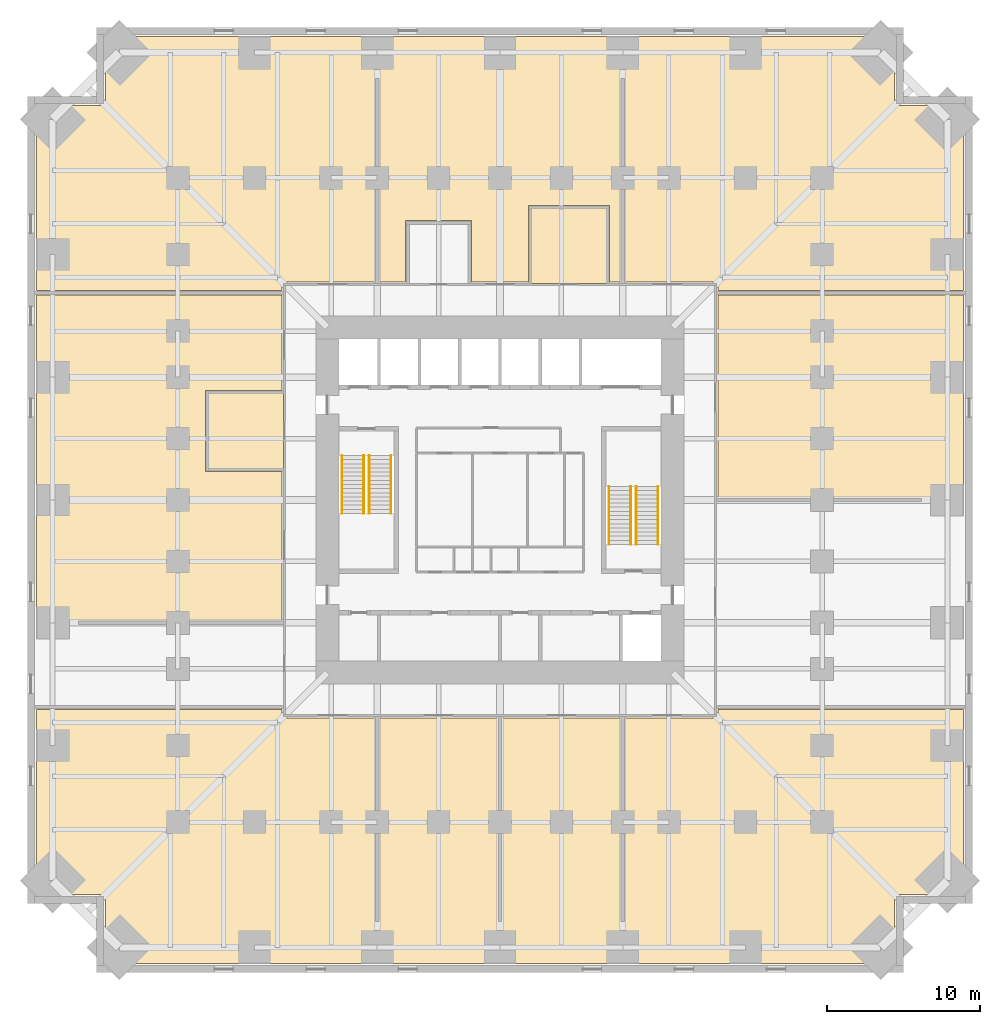
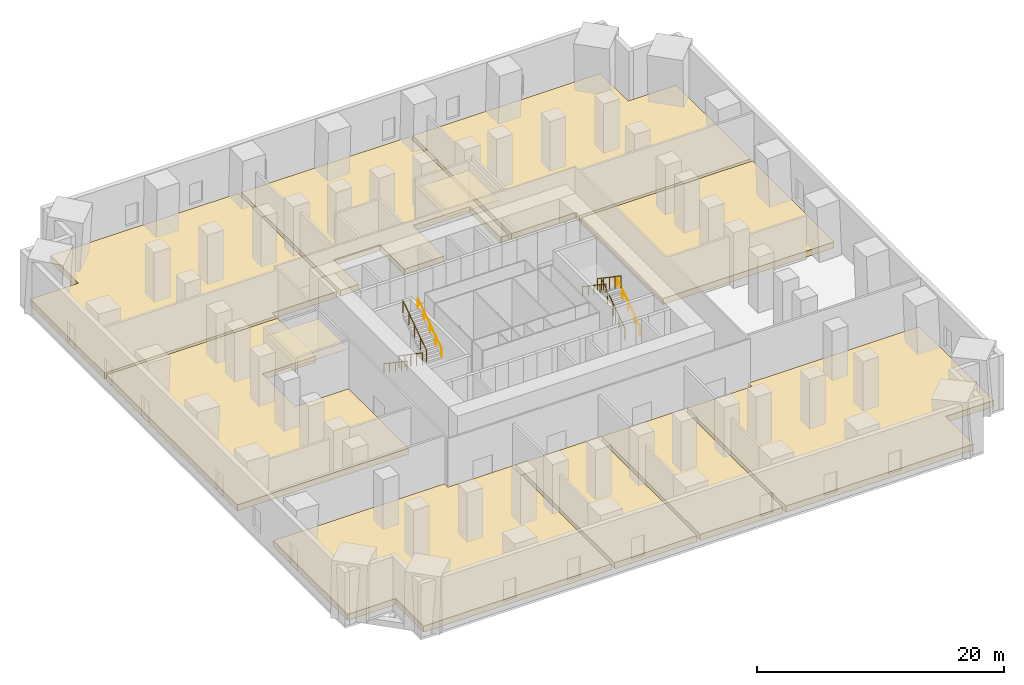
# One storey, part 8 of 8: 11 coverings, 8 railings.
"""IFC4 building model written with IfcOpenShell, lengths in metres."""

from ifc_helpers import new_model, si_unit, direction, frame, origin, origin_2d, place, context, subcontext, project, spatial, polyline, circle, outline, extrude, material, layer, layer_set, type_object, element, save


model = new_model("IFC4")

# Units and contexts
model_context = context("Model", 3, precision=1e-05, world=origin(), true_north=direction((0.0, 1.0)))
body_context = subcontext(model_context, "Body", "Model", "MODEL_VIEW")
ifc_project = project(units=[si_unit("LENGTHUNIT", "METRE"), si_unit("AREAUNIT", "SQUARE_METRE"), si_unit("VOLUMEUNIT", "CUBIC_METRE"), si_unit("PLANEANGLEUNIT", "RADIAN"), si_unit("MASSUNIT", "GRAM", prefix="KILO")], contexts=[model_context])

# Site, building, storey
site_placement = place(None, origin())
site = spatial("IfcSite", under=ifc_project, at=site_placement, CompositionType="ELEMENT")
building_placement = place(site_placement, origin())
building = spatial("IfcBuilding", under=site, at=building_placement, Name="Peilmerk Tower", CompositionType="ELEMENT")
storey_placement = place(building_placement, frame((0.0, 0.0, 43.0)))
storey = spatial("IfcBuildingStorey", under=building, at=storey_placement, Name="L08", CompositionType="ELEMENT", Elevation=43.0)

# Coverings
ifc_material_1 = material(Name="Mineral fibre ceiling tiles", Category="mineral")
ifc_layer_1 = layer(ifc_material_1, 0.02490234375)
ifc_layer_set_1 = layer_set([ifc_layer_1], Name="Mineral fibre ceiling tiles")
covering_type_1 = type_object("IfcCoveringType", Name="CL1 25 suspended ceiling", PredefinedType="CEILING", material=ifc_layer_set_1)
covering_1_placement = place(storey_placement, frame((0.0, 0.0, 4.375)))
element("IfcCovering", 1, at=covering_1_placement, inside=storey, type_object=covering_type_1, Name="Suspended ceiling Operations office", PredefinedType="CEILING", context=body_context, shape_type="SweptSolid", body=[
    extrude(outline(polyline([(6.949951171875, 14.10009765625), (6.949951171875, 19.0), (2.050048828125, 19.0), (2.050048828125, 14.10009765625), (6.949951171875, 14.10009765625)])), origin(), (0.0, 0.0, 1.0), 0.02490234375),
])
covering_2_placement = place(storey_placement, frame((0.0, 0.0, 4.375)))
element("IfcCovering", 2, at=covering_2_placement, inside=storey, type_object=covering_type_1, Name="Suspended ceiling Customer meeting room", PredefinedType="CEILING", context=body_context, shape_type="SweptSolid", body=[
    extrude(outline(polyline([(-14.10009765625, 2.050048828125), (-14.10009765625, 6.949951171875), (-19.0, 6.949951171875), (-19.0, 2.050048828125), (-14.10009765625, 2.050048828125)])), origin(), (0.0, 0.0, 1.0), 0.02490234375),
])

# Railings
ifc_material_2 = material(Name="Steel flat bar balustrade", Category="steel")
railing_type_1 = type_object("IfcRailingType", Name="GR1 1200 stair guard", PredefinedType="GUARDRAIL", material=ifc_material_2)
railing_1_placement = place(storey_placement, frame((-8.8798828125, 2.89990234375, 0.183349609375)))
element("IfcRailing", 3, at=railing_1_placement, inside=storey, type_object=railing_type_1, Name="Guard stair 1 L08", PredefinedType="GUARDRAIL", context=body_context, shape_type="SweptSolid", body=[
    extrude(circle(Radius=0.02392578125, at=origin_2d()), frame((0.0, 0.0, 1.17578125), z_axis=(0.0, -0.827293068839, 0.56177057439), x_axis=(1.0, 0.0, 0.0)), (0.0, 0.0, 1.0), 4.56884765625),
    extrude(circle(Radius=0.02099609375, at=origin_2d()), origin(), (0.0, 0.0, 1.0), 1.15185546875),
    extrude(circle(Radius=0.02099609375, at=origin_2d()), frame((0.0, -0.94482421875, 0.6416015625)), (0.0, 0.0, 1.0), 1.15185546875),
    extrude(circle(Radius=0.02099609375, at=origin_2d()), frame((0.0, -1.889892578125, 1.283203125)), (0.0, 0.0, 1.0), 1.15185546875),
    extrude(circle(Radius=0.02099609375, at=origin_2d()), frame((0.0, -2.8349609375, 1.925048828125)), (0.0, 0.0, 1.0), 1.15185546875),
    extrude(circle(Radius=0.02099609375, at=origin_2d()), frame((0.0, -3.77978515625, 2.566650390625)), (0.0, 0.0, 1.0), 1.15185546875),
])
for number, where, name in (
    (4, (-8.52001953125, -0.8798828125, 2.933349609375), "Guard stair 1 L08"),
    (5, (8.8798828125, -2.89990234375, 0.183349609375), "Guard stair 2 L08"),
):
    element("IfcRailing", number, at=place(storey_placement, frame(where)), inside=storey, type_object=railing_type_1, Name=name, PredefinedType="GUARDRAIL", context=body_context, shape_type="SweptSolid", body=[
        extrude(circle(Radius=0.02392578125, at=origin_2d()), frame((0.0, 0.0, 1.17578125), z_axis=(0.0, 0.827293068839, 0.56177057439), x_axis=(-1.0, 0.0, 0.0)), (0.0, 0.0, 1.0), 4.56884765625),
        extrude(circle(Radius=0.02099609375, at=origin_2d()), origin(), (0.0, 0.0, 1.0), 1.15185546875),
        extrude(circle(Radius=0.02099609375, at=origin_2d()), frame((0.0, 0.94482421875, 0.6416015625)), (0.0, 0.0, 1.0), 1.15185546875),
        extrude(circle(Radius=0.02099609375, at=origin_2d()), frame((0.0, 1.889892578125, 1.283203125)), (0.0, 0.0, 1.0), 1.15185546875),
        extrude(circle(Radius=0.02099609375, at=origin_2d()), frame((0.0, 2.8349609375, 1.925048828125)), (0.0, 0.0, 1.0), 1.15185546875),
        extrude(circle(Radius=0.02099609375, at=origin_2d()), frame((0.0, 3.77978515625, 2.566650390625)), (0.0, 0.0, 1.0), 1.15185546875),
    ])
railing_2_placement = place(storey_placement, frame((8.52001953125, 0.8798828125, 2.933349609375)))
element("IfcRailing", 6, at=railing_2_placement, inside=storey, type_object=railing_type_1, Name="Guard stair 2 L08", PredefinedType="GUARDRAIL", context=body_context, shape_type="SweptSolid", body=[
    extrude(circle(Radius=0.02392578125, at=origin_2d()), frame((0.0, 0.0, 1.17578125), z_axis=(0.0, -0.827293068839, 0.56177057439), x_axis=(1.0, 0.0, 0.0)), (0.0, 0.0, 1.0), 4.56884765625),
    extrude(circle(Radius=0.02099609375, at=origin_2d()), origin(), (0.0, 0.0, 1.0), 1.15185546875),
    extrude(circle(Radius=0.02099609375, at=origin_2d()), frame((0.0, -0.94482421875, 0.6416015625)), (0.0, 0.0, 1.0), 1.15185546875),
    extrude(circle(Radius=0.02099609375, at=origin_2d()), frame((0.0, -1.889892578125, 1.283203125)), (0.0, 0.0, 1.0), 1.15185546875),
    extrude(circle(Radius=0.02099609375, at=origin_2d()), frame((0.0, -2.8349609375, 1.925048828125)), (0.0, 0.0, 1.0), 1.15185546875),
    extrude(circle(Radius=0.02099609375, at=origin_2d()), frame((0.0, -3.77978515625, 2.566650390625)), (0.0, 0.0, 1.0), 1.15185546875),
])
ifc_material_3 = material(Name="Stainless steel tube", Category="steel")
railing_type_2 = type_object("IfcRailingType", Name="HR1 900 stair handrail", PredefinedType="HANDRAIL", material=ifc_material_3)
railing_3_placement = place(storey_placement, frame((-10.300048828125, 2.89990234375, 0.183349609375)))
element("IfcRailing", 7, at=railing_3_placement, inside=storey, type_object=railing_type_2, Name="Handrail stair 1 L08", PredefinedType="HANDRAIL", context=body_context, shape_type="SweptSolid", body=[
    extrude(circle(Radius=0.02392578125, at=origin_2d()), frame((0.0, 0.0, 0.8759765625), z_axis=(0.0, -0.827293068839, 0.56177057439), x_axis=(1.0, 0.0, 0.0)), (0.0, 0.0, 1.0), 4.56884765625),
    extrude(circle(Radius=0.02099609375, at=origin_2d()), origin(), (0.0, 0.0, 1.0), 0.851806640625),
    extrude(circle(Radius=0.02099609375, at=origin_2d()), frame((0.0, -0.94482421875, 0.6416015625)), (0.0, 0.0, 1.0), 0.851806640625),
    extrude(circle(Radius=0.02099609375, at=origin_2d()), frame((0.0, -1.889892578125, 1.283203125)), (0.0, 0.0, 1.0), 0.851806640625),
    extrude(circle(Radius=0.02099609375, at=origin_2d()), frame((0.0, -2.8349609375, 1.925048828125)), (0.0, 0.0, 1.0), 0.851806640625),
    extrude(circle(Radius=0.02099609375, at=origin_2d()), frame((0.0, -3.77978515625, 2.566650390625)), (0.0, 0.0, 1.0), 0.851806640625),
])
for number, where, name in (
    (8, (-7.10009765625, -0.8798828125, 2.933349609375), "Handrail stair 1 L08"),
    (9, (10.300048828125, -2.89990234375, 0.183349609375), "Handrail stair 2 L08"),
):
    element("IfcRailing", number, at=place(storey_placement, frame(where)), inside=storey, type_object=railing_type_2, Name=name, PredefinedType="HANDRAIL", context=body_context, shape_type="SweptSolid", body=[
        extrude(circle(Radius=0.02392578125, at=origin_2d()), frame((0.0, 0.0, 0.8759765625), z_axis=(0.0, 0.827293068839, 0.56177057439), x_axis=(-1.0, 0.0, 0.0)), (0.0, 0.0, 1.0), 4.56884765625),
        extrude(circle(Radius=0.02099609375, at=origin_2d()), origin(), (0.0, 0.0, 1.0), 0.851806640625),
        extrude(circle(Radius=0.02099609375, at=origin_2d()), frame((0.0, 0.94482421875, 0.6416015625)), (0.0, 0.0, 1.0), 0.851806640625),
        extrude(circle(Radius=0.02099609375, at=origin_2d()), frame((0.0, 1.889892578125, 1.283203125)), (0.0, 0.0, 1.0), 0.851806640625),
        extrude(circle(Radius=0.02099609375, at=origin_2d()), frame((0.0, 2.8349609375, 1.925048828125)), (0.0, 0.0, 1.0), 0.851806640625),
        extrude(circle(Radius=0.02099609375, at=origin_2d()), frame((0.0, 3.77978515625, 2.566650390625)), (0.0, 0.0, 1.0), 0.851806640625),
    ])
railing_4_placement = place(storey_placement, frame((7.10009765625, 0.8798828125, 2.933349609375)))
element("IfcRailing", 10, at=railing_4_placement, inside=storey, type_object=railing_type_2, Name="Handrail stair 2 L08", PredefinedType="HANDRAIL", context=body_context, shape_type="SweptSolid", body=[
    extrude(circle(Radius=0.02392578125, at=origin_2d()), frame((0.0, 0.0, 0.8759765625), z_axis=(0.0, -0.827293068839, 0.56177057439), x_axis=(1.0, 0.0, 0.0)), (0.0, 0.0, 1.0), 4.56884765625),
    extrude(circle(Radius=0.02099609375, at=origin_2d()), origin(), (0.0, 0.0, 1.0), 0.851806640625),
    extrude(circle(Radius=0.02099609375, at=origin_2d()), frame((0.0, -0.94482421875, 0.6416015625)), (0.0, 0.0, 1.0), 0.851806640625),
    extrude(circle(Radius=0.02099609375, at=origin_2d()), frame((0.0, -1.889892578125, 1.283203125)), (0.0, 0.0, 1.0), 0.851806640625),
    extrude(circle(Radius=0.02099609375, at=origin_2d()), frame((0.0, -2.8349609375, 1.925048828125)), (0.0, 0.0, 1.0), 0.851806640625),
    extrude(circle(Radius=0.02099609375, at=origin_2d()), frame((0.0, -3.77978515625, 2.566650390625)), (0.0, 0.0, 1.0), 0.851806640625),
])

# Coverings
ifc_material_4 = material(Name="Steel raised access floor panels on pedestals", Category="steel")
ifc_layer_2 = layer(ifc_material_4, 0.60009765625)
ifc_layer_set_2 = layer_set([ifc_layer_2], Name="Steel raised access floor panels on pedestals")
covering_type_2 = type_object("IfcCoveringType", Name="RF1 600 raised access floor", PredefinedType="FLOORING", material=ifc_layer_set_2)
covering_3_placement = place(storey_placement, origin())
element("IfcCovering", 11, at=covering_3_placement, inside=storey, type_object=covering_type_2, Name="Raised access floor Computer room A", PredefinedType="FLOORING", context=body_context, shape_type="SweptSolid", body=[
    extrude(outline(polyline([(-30.199951171875, 25.699951171875), (-30.199951171875, 13.64990234375), (-14.199951171875, 13.64990234375), (-14.199951171875, 14.199951171875), (-8.14990234375, 14.199951171875), (-8.14990234375, 30.199951171875), (-25.699951171875, 30.199951171875), (-25.699951171875, 25.699951171875), (-30.199951171875, 25.699951171875)])), origin(), (0.0, 0.0, 1.0), 0.60009765625),
])
covering_4_placement = place(storey_placement, origin())
element("IfcCovering", 12, at=covering_4_placement, inside=storey, type_object=covering_type_2, Name="Raised access floor Meet-me room A", PredefinedType="FLOORING", context=body_context, shape_type="SweptSolid", body=[
    extrude(outline(polyline([(7.85009765625, 14.199951171875), (7.85009765625, 30.199951171875), (-7.85009765625, 30.199951171875), (-7.85009765625, 14.199951171875), (-6.14990234375, 14.199951171875), (-6.14990234375, 18.199951171875), (-1.85009765625, 18.199951171875), (-1.85009765625, 14.199951171875), (1.85009765625, 14.199951171875), (1.85009765625, 19.199951171875), (7.14990234375, 19.199951171875), (7.14990234375, 14.199951171875), (7.85009765625, 14.199951171875)])), origin(), (0.0, 0.0, 1.0), 0.60009765625),
])
covering_5_placement = place(storey_placement, origin())
element("IfcCovering", 13, at=covering_5_placement, inside=storey, type_object=covering_type_2, Name="Raised access floor Computer room B", PredefinedType="FLOORING", context=body_context, shape_type="SweptSolid", body=[
    extrude(outline(polyline([(25.699951171875, 30.199951171875), (8.14990234375, 30.199951171875), (8.14990234375, 14.199951171875), (14.199951171875, 14.199951171875), (14.199951171875, 13.64990234375), (30.199951171875, 13.64990234375), (30.199951171875, 25.699951171875), (25.699951171875, 25.699951171875), (25.699951171875, 30.199951171875)])), origin(), (0.0, 0.0, 1.0), 0.60009765625),
])
covering_6_placement = place(storey_placement, origin())
element("IfcCovering", 14, at=covering_6_placement, inside=storey, type_object=covering_type_2, Name="Raised access floor Cross-connect room", PredefinedType="FLOORING", context=body_context, shape_type="SweptSolid", body=[
    extrude(outline(polyline([(-25.699951171875, -30.199951171875), (-8.14990234375, -30.199951171875), (-8.14990234375, -14.199951171875), (-14.199951171875, -14.199951171875), (-14.199951171875, -13.64990234375), (-30.199951171875, -13.64990234375), (-30.199951171875, -25.699951171875), (-25.699951171875, -25.699951171875), (-25.699951171875, -30.199951171875)])), origin(), (0.0, 0.0, 1.0), 0.60009765625),
])
covering_7_placement = place(storey_placement, origin())
element("IfcCovering", 15, at=covering_7_placement, inside=storey, type_object=covering_type_2, Name="Raised access floor Meet-me room B", PredefinedType="FLOORING", context=body_context, shape_type="SweptSolid", body=[
    extrude(outline(polyline([(-7.85009765625, -30.199951171875), (-0.14990234375, -30.199951171875), (-0.14990234375, -14.199951171875), (-7.85009765625, -14.199951171875), (-7.85009765625, -30.199951171875)])), origin(), (0.0, 0.0, 1.0), 0.60009765625),
])
covering_8_placement = place(storey_placement, origin())
element("IfcCovering", 16, at=covering_8_placement, inside=storey, type_object=covering_type_2, Name="Raised access floor Carrier room", PredefinedType="FLOORING", context=body_context, shape_type="SweptSolid", body=[
    extrude(outline(polyline([(0.14990234375, -30.199951171875), (7.85009765625, -30.199951171875), (7.85009765625, -14.199951171875), (0.14990234375, -14.199951171875), (0.14990234375, -30.199951171875)])), origin(), (0.0, 0.0, 1.0), 0.60009765625),
])
covering_9_placement = place(storey_placement, origin())
element("IfcCovering", 17, at=covering_9_placement, inside=storey, type_object=covering_type_2, Name="Raised access floor Network room", PredefinedType="FLOORING", context=body_context, shape_type="SweptSolid", body=[
    extrude(outline(polyline([(8.14990234375, -30.199951171875), (25.699951171875, -30.199951171875), (25.699951171875, -25.699951171875), (30.199951171875, -25.699951171875), (30.199951171875, -13.64990234375), (14.199951171875, -13.64990234375), (14.199951171875, -14.199951171875), (8.14990234375, -14.199951171875), (8.14990234375, -30.199951171875)])), origin(), (0.0, 0.0, 1.0), 0.60009765625),
])
covering_10_placement = place(storey_placement, origin())
element("IfcCovering", 18, at=covering_10_placement, inside=storey, type_object=covering_type_2, Name="Raised access floor UPS room", PredefinedType="FLOORING", context=body_context, shape_type="SweptSolid", body=[
    extrude(outline(polyline([(30.199951171875, 0.14990234375), (30.199951171875, 13.35009765625), (14.199951171875, 13.35009765625), (14.199951171875, 0.14990234375), (30.199951171875, 0.14990234375)])), origin(), (0.0, 0.0, 1.0), 0.60009765625),
])
covering_11_placement = place(storey_placement, origin())
element("IfcCovering", 19, at=covering_11_placement, inside=storey, type_object=covering_type_2, Name="Raised access floor Fibre distribution room", PredefinedType="FLOORING", context=body_context, shape_type="SweptSolid", body=[
    extrude(outline(polyline([(-14.199951171875, 13.35009765625), (-30.199951171875, 13.35009765625), (-30.199951171875, -7.85009765625), (-14.199951171875, -7.85009765625), (-14.199951171875, 1.85009765625), (-19.199951171875, 1.85009765625), (-19.199951171875, 7.14990234375), (-14.199951171875, 7.14990234375), (-14.199951171875, 13.35009765625)])), origin(), (0.0, 0.0, 1.0), 0.60009765625),
])

save(model, "model.ifc")
